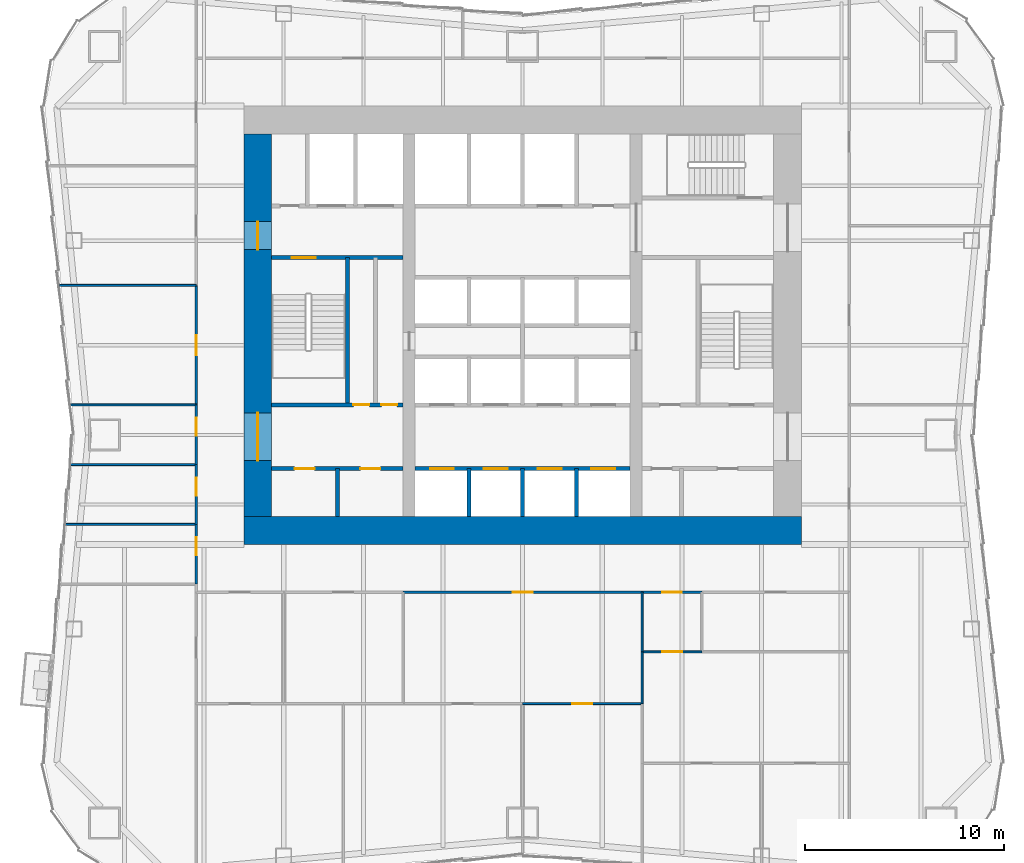
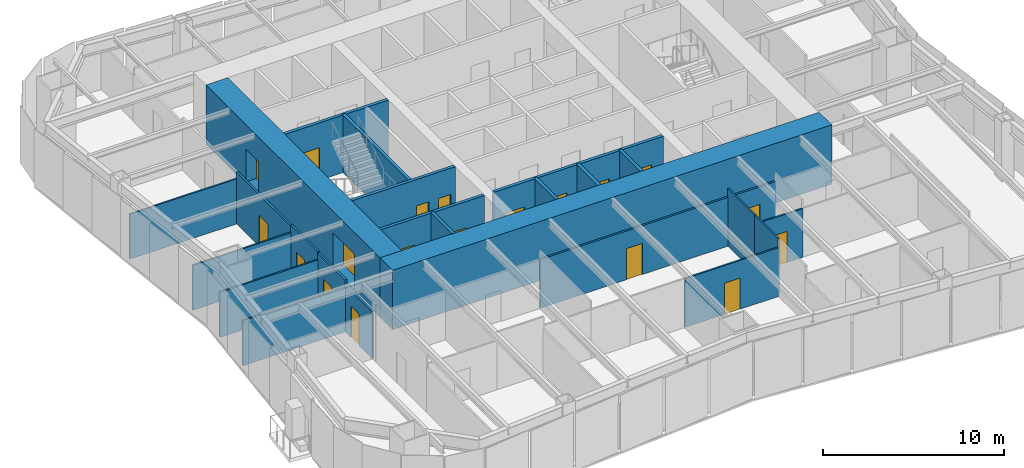
# One storey, part 4 of 8: 25 walls, 19 doors, 19 openings.
"""IFC4 building model written with IfcOpenShell, lengths in metres."""

from ifc_helpers import new_model, si_unit, direction, frame, frame_2d, origin, place, context, subcontext, project, spatial, rectangle, extrude, material, layer, layer_set, type_object, element, fill, save


model = new_model("IFC4")

# Units and contexts
model_context = context("Model", 3, precision=1e-05, world=origin(), true_north=direction((0.0, 1.0)))
body_context = subcontext(model_context, "Body", "Model", "MODEL_VIEW")
ifc_project = project(units=[si_unit("LENGTHUNIT", "METRE"), si_unit("AREAUNIT", "SQUARE_METRE"), si_unit("VOLUMEUNIT", "CUBIC_METRE"), si_unit("PLANEANGLEUNIT", "RADIAN"), si_unit("MASSUNIT", "GRAM", prefix="KILO")], contexts=[model_context])

# Site, building, storey
site_placement = place(None, origin())
site = spatial("IfcSite", under=ifc_project, at=site_placement, CompositionType="ELEMENT")
building_placement = place(site_placement, origin())
building = spatial("IfcBuilding", under=site, at=building_placement, Name="Verdant Reach Tower", CompositionType="ELEMENT")
storey_placement = place(building_placement, frame((0.0, 0.0, 22.0)))
storey = spatial("IfcBuildingStorey", under=building, at=storey_placement, Name="L04", CompositionType="ELEMENT", Elevation=22.0)

# Wall, openings, doors
ifc_material_1 = material(Name="Gypsum board on steel studs", Category="steel")
ifc_layer_1 = layer(ifc_material_1, 0.199951171875)
ifc_layer_set_1 = layer_set([ifc_layer_1], Name="CO-WALL-ROOM")
wall_type_1 = type_object("IfcWallType", Name="CO-WALL-ROOM", PredefinedType="PARTITIONING", material=ifc_layer_set_1)
wall_1_placement = place(storey_placement, frame((-12.60009765625, 20.800048828125, 0.0), z_axis=(0.0, 0.0, 1.0), x_axis=(1.0, 0.0, 0.0)))
wall_1 = element("IfcWall", 1, at=wall_1_placement, inside=storey, type_object=wall_type_1, Name="Core partition, L04", PredefinedType="PARTITIONING", context=body_context, shape_type="SweptSolid", body=[
    extrude(rectangle(XDim=6.60009765625, YDim=0.199951171875, at=frame_2d((3.300048828125, 0.0))), origin(), (0.0, 0.0, 1.0), 3.8701171875),
])
opening_1_placement = place(wall_1_placement, frame((1.14990234375, 0.0, 0.0)))
opening_1 = element("IfcOpeningElement", 2, at=opening_1_placement, cuts=wall_1, Name="Opening CD", PredefinedType="OPENING", context=body_context, shape_type="SweptSolid", body=[
    extrude(rectangle(XDim=1.0, YDim=2.10009765625, at=frame_2d((0.5, 1.050048828125))), frame((0.0, 0.10986328125, 0.0), z_axis=(0.0, -1.0, 0.0), x_axis=(1.0, 0.0, 0.0)), (0.0, 0.0, 1.0), 0.219970703125),
])
opening_2_placement = place(wall_1_placement, frame((4.449951171875, 0.0, 0.0)))
opening_2 = element("IfcOpeningElement", 3, at=opening_2_placement, cuts=wall_1, Name="Opening CD", PredefinedType="OPENING", context=body_context, shape_type="SweptSolid", body=[
    extrude(rectangle(XDim=1.0, YDim=2.10009765625, at=frame_2d((0.5, 1.050048828125))), frame((0.0, 0.10986328125, 0.0), z_axis=(0.0, -1.0, 0.0), x_axis=(1.0, 0.0, 0.0)), (0.0, 0.0, 1.0), 0.219970703125),
])
ifc_material_2 = material(Name="Timber", Category="wood")
door_type_1 = type_object("IfcDoorType", Name="CO-DOOR-ROOM", OperationType="NOTDEFINED", PredefinedType="DOOR", material=ifc_material_2)
door_1_placement = place(opening_1_placement, origin())
door_1 = element("IfcDoor", 4, at=door_1_placement, inside=storey, type_object=door_type_1, Name="Core room door, L04", OperationType="SINGLE_SWING_LEFT", OverallHeight=2.10009765625, OverallWidth=1.0, PredefinedType="DOOR", context=body_context, shape_type="SweptSolid", body=[
    extrude(rectangle(XDim=1.0, YDim=2.10009765625, at=frame_2d((0.5, 1.050048828125))), frame((0.0, 0.02490234375, 0.0), z_axis=(0.0, -1.0, 0.0), x_axis=(1.0, 0.0, 0.0)), (0.0, 0.0, 1.0), 0.050048828125),
])
fill(opening_1, door_1)
door_2_placement = place(opening_2_placement, origin())
door_2 = element("IfcDoor", 5, at=door_2_placement, inside=storey, type_object=door_type_1, Name="Core room door, L04", OperationType="SINGLE_SWING_LEFT", OverallHeight=2.10009765625, OverallWidth=1.0, PredefinedType="DOOR", context=body_context, shape_type="SweptSolid", body=[
    extrude(rectangle(XDim=1.0, YDim=2.10009765625, at=frame_2d((0.5, 1.050048828125))), frame((0.0, 0.02490234375, 0.0), z_axis=(0.0, -1.0, 0.0), x_axis=(1.0, 0.0, 0.0)), (0.0, 0.0, 1.0), 0.050048828125),
])
fill(opening_2, door_2)

# Wall
wall_2_placement = place(storey_placement, frame((-9.300048828125, 18.39990234375, 0.0), z_axis=(0.0, 0.0, 1.0), x_axis=(0.0, 1.0, 0.0)))
element("IfcWall", 6, at=wall_2_placement, inside=storey, type_object=wall_type_1, Name="Core partition, L04", PredefinedType="PARTITIONING", context=body_context, shape_type="SweptSolid", body=[
    extrude(rectangle(XDim=2.400146484375, YDim=0.199951171875, at=frame_2d((1.2001953125, 0.0))), origin(), (0.0, 0.0, 1.0), 3.8701171875),
])

# Wall, openings, doors
ifc_material_3 = material(Name="Concrete C40/50", Category="concrete")
ifc_layer_2 = layer(ifc_material_3, 0.199951171875)
ifc_layer_set_2 = layer_set([ifc_layer_2], Name="CO-WALL-SHAFT")
wall_type_2 = type_object("IfcWallType", Name="CO-WALL-SHAFT", PredefinedType="PARTITIONING", material=ifc_layer_set_2)
wall_3_placement = place(storey_placement, frame((-5.39990234375, 20.800048828125, 0.0), z_axis=(0.0, 0.0, 1.0), x_axis=(1.0, 0.0, 0.0)))
wall_3 = element("IfcWall", 7, at=wall_3_placement, inside=storey, type_object=wall_type_2, Name="Lift shaft wall, L04", PredefinedType="PARTITIONING", context=body_context, shape_type="SweptSolid", body=[
    extrude(rectangle(XDim=10.7998046875, YDim=0.199951171875, at=frame_2d((5.39990234375, 0.0))), origin(), (0.0, 0.0, 1.0), 3.8701171875),
])
opening_3_placement = place(wall_3_placement, frame((0.75, 0.0, 0.0)))
opening_3 = element("IfcOpeningElement", 8, at=opening_3_placement, cuts=wall_3, Name="Opening LD-A1", PredefinedType="OPENING", context=body_context, shape_type="SweptSolid", body=[
    extrude(rectangle(XDim=1.199951171875, YDim=2.199951171875, at=frame_2d((0.60009765625, 1.10009765625))), frame((0.0, 0.10986328125, 0.0), z_axis=(0.0, -1.0, 0.0), x_axis=(1.0, 0.0, 0.0)), (0.0, 0.0, 1.0), 0.219970703125),
])
opening_4_placement = place(wall_3_placement, frame((3.449951171875, 0.0, 0.0)))
opening_4 = element("IfcOpeningElement", 9, at=opening_4_placement, cuts=wall_3, Name="Opening LD-A2", PredefinedType="OPENING", context=body_context, shape_type="SweptSolid", body=[
    extrude(rectangle(XDim=1.199951171875, YDim=2.199951171875, at=frame_2d((0.60009765625, 1.10009765625))), frame((0.0, 0.10986328125, 0.0), z_axis=(0.0, -1.0, 0.0), x_axis=(1.0, 0.0, 0.0)), (0.0, 0.0, 1.0), 0.219970703125),
])
opening_5_placement = place(wall_3_placement, frame((6.14990234375, 0.0, 0.0)))
opening_5 = element("IfcOpeningElement", 10, at=opening_5_placement, cuts=wall_3, Name="Opening LD-A3", PredefinedType="OPENING", context=body_context, shape_type="SweptSolid", body=[
    extrude(rectangle(XDim=1.199951171875, YDim=2.199951171875, at=frame_2d((0.60009765625, 1.10009765625))), frame((0.0, 0.10986328125, 0.0), z_axis=(0.0, -1.0, 0.0), x_axis=(1.0, 0.0, 0.0)), (0.0, 0.0, 1.0), 0.219970703125),
])
opening_6_placement = place(wall_3_placement, frame((8.85009765625, 0.0, 0.0)))
opening_6 = element("IfcOpeningElement", 11, at=opening_6_placement, cuts=wall_3, Name="Opening LD-A4", PredefinedType="OPENING", context=body_context, shape_type="SweptSolid", body=[
    extrude(rectangle(XDim=1.199951171875, YDim=2.199951171875, at=frame_2d((0.60009765625, 1.10009765625))), frame((0.0, 0.10986328125, 0.0), z_axis=(0.0, -1.0, 0.0), x_axis=(1.0, 0.0, 0.0)), (0.0, 0.0, 1.0), 0.219970703125),
])
ifc_material_4 = material(Name="Stainless steel", Category="steel")
door_type_2 = type_object("IfcDoorType", Name="CO-DOOR-LANDING", OperationType="SLIDING_TO_LEFT", PredefinedType="DOOR", material=ifc_material_4)
door_3_placement = place(opening_3_placement, origin())
door_3 = element("IfcDoor", 12, at=door_3_placement, inside=storey, type_object=door_type_2, Name="Landing door A1, L04", OperationType="SLIDING_TO_LEFT", OverallHeight=2.199951171875, OverallWidth=1.199951171875, PredefinedType="DOOR", context=body_context, shape_type="SweptSolid", body=[
    extrude(rectangle(XDim=1.199951171875, YDim=2.199951171875, at=frame_2d((0.60009765625, 1.10009765625))), frame((0.0, 0.02490234375, 0.0), z_axis=(0.0, -1.0, 0.0), x_axis=(1.0, 0.0, 0.0)), (0.0, 0.0, 1.0), 0.050048828125),
])
fill(opening_3, door_3)
door_4_placement = place(opening_4_placement, origin())
door_4 = element("IfcDoor", 13, at=door_4_placement, inside=storey, type_object=door_type_2, Name="Landing door A2, L04", OperationType="SLIDING_TO_LEFT", OverallHeight=2.199951171875, OverallWidth=1.199951171875, PredefinedType="DOOR", context=body_context, shape_type="SweptSolid", body=[
    extrude(rectangle(XDim=1.199951171875, YDim=2.199951171875, at=frame_2d((0.60009765625, 1.10009765625))), frame((0.0, 0.02490234375, 0.0), z_axis=(0.0, -1.0, 0.0), x_axis=(1.0, 0.0, 0.0)), (0.0, 0.0, 1.0), 0.050048828125),
])
fill(opening_4, door_4)
door_5_placement = place(opening_5_placement, origin())
door_5 = element("IfcDoor", 14, at=door_5_placement, inside=storey, type_object=door_type_2, Name="Landing door A3, L04", OperationType="SLIDING_TO_LEFT", OverallHeight=2.199951171875, OverallWidth=1.199951171875, PredefinedType="DOOR", context=body_context, shape_type="SweptSolid", body=[
    extrude(rectangle(XDim=1.199951171875, YDim=2.199951171875, at=frame_2d((0.60009765625, 1.10009765625))), frame((0.0, 0.02490234375, 0.0), z_axis=(0.0, -1.0, 0.0), x_axis=(1.0, 0.0, 0.0)), (0.0, 0.0, 1.0), 0.050048828125),
])
fill(opening_5, door_5)
door_6_placement = place(opening_6_placement, origin())
door_6 = element("IfcDoor", 15, at=door_6_placement, inside=storey, type_object=door_type_2, Name="Landing door A4, L04", OperationType="SLIDING_TO_LEFT", OverallHeight=2.199951171875, OverallWidth=1.199951171875, PredefinedType="DOOR", context=body_context, shape_type="SweptSolid", body=[
    extrude(rectangle(XDim=1.199951171875, YDim=2.199951171875, at=frame_2d((0.60009765625, 1.10009765625))), frame((0.0, 0.02490234375, 0.0), z_axis=(0.0, -1.0, 0.0), x_axis=(1.0, 0.0, 0.0)), (0.0, 0.0, 1.0), 0.050048828125),
])
fill(opening_6, door_6)

# Walls
for number, where, z_axis, x_axis, name in (
    (16, (-2.699951171875, 18.39990234375, 0.0), (0.0, 0.0, 1.0), (0.0, 1.0, 0.0), "Lift shaft wall, L04"),
    (17, (0.0, 18.39990234375, 0.0), (0.0, 0.0, 1.0), (0.0, 1.0, 0.0), "Lift shaft wall, L04"),
    (18, (2.699951171875, 18.39990234375, 0.0), (0.0, 0.0, 1.0), (0.0, 1.0, 0.0), "Lift shaft wall, L04"),
):
    element("IfcWall", number, at=place(storey_placement, frame(where, z_axis=z_axis, x_axis=x_axis)), inside=storey, type_object=wall_type_2, Name=name, PredefinedType="PARTITIONING", context=body_context, shape_type="SweptSolid", body=[
        extrude(rectangle(XDim=2.400146484375, YDim=0.199951171875, at=frame_2d((1.2001953125, 0.0))), origin(), (0.0, 0.0, 1.0), 3.8701171875),
    ])

# Wall, openings, doors
ifc_layer_3 = layer(ifc_material_3, 0.199951171875)
ifc_layer_set_3 = layer_set([ifc_layer_3], Name="CO-WALL-STAIR")
wall_type_3 = type_object("IfcWallType", Name="CO-WALL-STAIR", PredefinedType="PARTITIONING", material=ifc_layer_set_3)
wall_4_placement = place(storey_placement, frame((-12.60009765625, 24.0, 0.0), z_axis=(0.0, 0.0, 1.0), x_axis=(1.0, 0.0, 0.0)))
wall_4 = element("IfcWall", 19, at=wall_4_placement, inside=storey, type_object=wall_type_3, Name="Stair enclosure wall, L04", PredefinedType="PARTITIONING", context=body_context, shape_type="SweptSolid", body=[
    extrude(rectangle(XDim=6.60009765625, YDim=0.199951171875, at=frame_2d((3.300048828125, 0.0))), origin(), (0.0, 0.0, 1.0), 3.8701171875),
])
opening_7_placement = place(wall_4_placement, frame((4.10009765625, 0.0, 0.0)))
opening_7 = element("IfcOpeningElement", 20, at=opening_7_placement, cuts=wall_4, Name="Opening CDN", PredefinedType="OPENING", context=body_context, shape_type="SweptSolid", body=[
    extrude(rectangle(XDim=0.800048828125, YDim=2.10009765625, at=frame_2d((0.39990234375, 1.050048828125))), frame((0.0, 0.10986328125, 0.0), z_axis=(0.0, -1.0, 0.0), x_axis=(1.0, 0.0, 0.0)), (0.0, 0.0, 1.0), 0.219970703125),
])
opening_8_placement = place(wall_4_placement, frame((5.5, 0.0, 0.0)))
opening_8 = element("IfcOpeningElement", 21, at=opening_8_placement, cuts=wall_4, Name="Opening CDN", PredefinedType="OPENING", context=body_context, shape_type="SweptSolid", body=[
    extrude(rectangle(XDim=0.800048828125, YDim=2.10009765625, at=frame_2d((0.39990234375, 1.050048828125))), frame((0.0, 0.10986328125, 0.0), z_axis=(0.0, -1.0, 0.0), x_axis=(1.0, 0.0, 0.0)), (0.0, 0.0, 1.0), 0.219970703125),
])
door_type_3 = type_object("IfcDoorType", Name="CO-DOOR-ROOM-NARROW", OperationType="NOTDEFINED", PredefinedType="DOOR", material=ifc_material_2)
door_7_placement = place(opening_7_placement, origin())
door_7 = element("IfcDoor", 22, at=door_7_placement, inside=storey, type_object=door_type_3, Name="Core room door, L04", OperationType="SINGLE_SWING_LEFT", OverallHeight=2.10009765625, OverallWidth=0.800048828125, PredefinedType="DOOR", context=body_context, shape_type="SweptSolid", body=[
    extrude(rectangle(XDim=0.800048828125, YDim=2.10009765625, at=frame_2d((0.39990234375, 1.050048828125))), frame((0.0, 0.02490234375, 0.0), z_axis=(0.0, -1.0, 0.0), x_axis=(1.0, 0.0, 0.0)), (0.0, 0.0, 1.0), 0.050048828125),
])
fill(opening_7, door_7)
door_8_placement = place(opening_8_placement, origin())
door_8 = element("IfcDoor", 23, at=door_8_placement, inside=storey, type_object=door_type_3, Name="Core room door, L04", OperationType="SINGLE_SWING_RIGHT", OverallHeight=2.10009765625, OverallWidth=0.800048828125, PredefinedType="DOOR", context=body_context, shape_type="SweptSolid", body=[
    extrude(rectangle(XDim=0.800048828125, YDim=2.10009765625, at=frame_2d((0.39990234375, 1.050048828125))), frame((0.0, 0.02490234375, 0.0), z_axis=(0.0, -1.0, 0.0), x_axis=(1.0, 0.0, 0.0)), (0.0, 0.0, 1.0), 0.050048828125),
])
fill(opening_8, door_8)

# Wall, opening, door
wall_5_placement = place(storey_placement, frame((-12.60009765625, 31.39990234375, 0.0), z_axis=(0.0, 0.0, 1.0), x_axis=(1.0, 0.0, 0.0)))
wall_5 = element("IfcWall", 24, at=wall_5_placement, inside=storey, type_object=wall_type_3, Name="Stair enclosure wall, L04", PredefinedType="PARTITIONING", context=body_context, shape_type="SweptSolid", body=[
    extrude(rectangle(XDim=6.60009765625, YDim=0.199951171875, at=frame_2d((3.300048828125, 0.0))), origin(), (0.0, 0.0, 1.0), 3.8701171875),
])
opening_9_placement = place(wall_5_placement, frame((1.0, 0.0, 0.0)))
opening_9 = element("IfcOpeningElement", 25, at=opening_9_placement, cuts=wall_5, Name="Opening SD", PredefinedType="OPENING", context=body_context, shape_type="SweptSolid", body=[
    extrude(rectangle(XDim=1.199951171875, YDim=2.199951171875, at=frame_2d((0.60009765625, 1.10009765625))), frame((0.0, 0.10986328125, 0.0), z_axis=(0.0, -1.0, 0.0), x_axis=(1.0, 0.0, 0.0)), (0.0, 0.0, 1.0), 0.219970703125),
])
ifc_material_5 = material(Name="Steel", Category="steel")
door_type_4 = type_object("IfcDoorType", Name="CO-DOOR-STAIR", OperationType="NOTDEFINED", PredefinedType="DOOR", material=ifc_material_5)
door_9_placement = place(opening_9_placement, origin())
door_9 = element("IfcDoor", 26, at=door_9_placement, inside=storey, type_object=door_type_4, Name="Stair door, L04", OperationType="SINGLE_SWING_RIGHT", OverallHeight=2.199951171875, OverallWidth=1.199951171875, PredefinedType="DOOR", context=body_context, shape_type="SweptSolid", body=[
    extrude(rectangle(XDim=1.199951171875, YDim=2.199951171875, at=frame_2d((0.60009765625, 1.10009765625))), frame((0.0, 0.02490234375, 0.0), z_axis=(0.0, -1.0, 0.0), x_axis=(1.0, 0.0, 0.0)), (0.0, 0.0, 1.0), 0.050048828125),
])
fill(opening_9, door_9)

# Wall
wall_6_placement = place(storey_placement, frame((-8.800048828125, 24.0, 0.0), z_axis=(0.0, 0.0, 1.0), x_axis=(0.0, 1.0, 0.0)))
element("IfcWall", 27, at=wall_6_placement, inside=storey, type_object=wall_type_3, Name="Stair enclosure wall, L04", PredefinedType="PARTITIONING", context=body_context, shape_type="SweptSolid", body=[
    extrude(rectangle(XDim=7.39990234375, YDim=0.199951171875, at=frame_2d((3.699951171875, 0.0))), origin(), (0.0, 0.0, 1.0), 3.8701171875),
])

# Wall, opening, door
ifc_layer_4 = layer(ifc_material_1, 0.10009765625)
ifc_layer_set_4 = layer_set([ifc_layer_4], Name="FL-W1 Partition 100")
wall_type_4 = type_object("IfcWallType", Name="FL-W1 Partition 100", PredefinedType="PARTITIONING", material=ifc_layer_set_4)
wall_7_placement = place(storey_placement, frame((6.0, 9.0, 0.0), z_axis=(0.0, 0.0, 1.0), x_axis=(-1.0, 0.0, 0.0)))
wall_7 = element("IfcWall", 28, at=wall_7_placement, inside=storey, type_object=wall_type_4, Name="Partition 04.25", PredefinedType="PARTITIONING", context=body_context, shape_type="SweptSolid", body=[
    extrude(rectangle(XDim=6.0, YDim=0.10009765625, at=frame_2d((3.0, 0.0))), origin(), (0.0, 0.0, 1.0), 3.2900390625),
])
opening_10_placement = place(wall_7_placement, frame((2.5, 0.0, 0.0)))
opening_10 = element("IfcOpeningElement", 29, at=opening_10_placement, cuts=wall_7, Name="Opening D3", PredefinedType="OPENING", context=body_context, shape_type="SweptSolid", body=[
    extrude(rectangle(XDim=1.0, YDim=2.10009765625, at=frame_2d((0.5, 1.050048828125))), frame((0.0, 0.06005859375, 0.0), z_axis=(0.0, -1.0, 0.0), x_axis=(1.0, 0.0, 0.0)), (0.0, 0.0, 1.0), 0.1201171875),
])
ifc_material_6 = material(Name="Painted timber door leaf", Category="wood")
door_type_5 = type_object("IfcDoorType", Name="FL-D3 Door 1000x2100", OperationType="NOTDEFINED", PredefinedType="DOOR", material=ifc_material_6)
door_10_placement = place(opening_10_placement, origin())
door_10 = element("IfcDoor", 30, at=door_10_placement, inside=storey, type_object=door_type_5, Name="Door 04-020", OperationType="SINGLE_SWING_RIGHT", OverallHeight=2.10009765625, OverallWidth=1.0, PredefinedType="DOOR", context=body_context, shape_type="SweptSolid", body=[
    extrude(rectangle(XDim=1.0, YDim=2.10009765625, at=frame_2d((0.5, 1.050048828125))), frame((0.0, 0.02490234375, 0.0), z_axis=(0.0, -1.0, 0.0), x_axis=(1.0, 0.0, 0.0)), (0.0, 0.0, 1.0), 0.050048828125),
])
fill(opening_10, door_10)

# Walls
wall_8_placement = place(storey_placement, frame((6.0, 11.60009765625, 0.0), z_axis=(0.0, 0.0, 1.0), x_axis=(0.0, 1.0, 0.0)))
element("IfcWall", 31, at=wall_8_placement, inside=storey, type_object=wall_type_4, Name="Partition 04.26", PredefinedType="PARTITIONING", context=body_context, shape_type="SweptSolid", body=[
    extrude(rectangle(XDim=3.0, YDim=0.10009765625, at=frame_2d((1.5, 0.0))), origin(), (0.0, 0.0, 1.0), 3.8701171875),
])
wall_9_placement = place(storey_placement, frame((6.0, 8.99609375, 0.0), z_axis=(0.0, 0.0, 1.0), x_axis=(0.0, 1.0, 0.0)))
element("IfcWall", 32, at=wall_9_placement, inside=storey, type_object=wall_type_4, Name="Partition 04.27", PredefinedType="PARTITIONING", context=body_context, shape_type="SweptSolid", body=[
    extrude(rectangle(XDim=2.60400390625, YDim=0.10009765625, at=frame_2d((1.302001953125, 0.0))), origin(), (0.0, 0.0, 1.0), 3.8701171875),
])

# Wall, opening, door
wall_10_placement = place(storey_placement, frame((9.00390625, 11.60009765625, 0.0), z_axis=(0.0, 0.0, 1.0), x_axis=(-1.0, 0.0, 0.0)))
wall_10 = element("IfcWall", 33, at=wall_10_placement, inside=storey, type_object=wall_type_4, Name="Partition 04.34", PredefinedType="PARTITIONING", context=body_context, shape_type="SweptSolid", body=[
    extrude(rectangle(XDim=3.00390625, YDim=0.10009765625, at=frame_2d((1.501953125, 0.0))), origin(), (0.0, 0.0, 1.0), 3.2900390625),
])
opening_11_placement = place(wall_10_placement, frame((1.001953125, 0.0, 0.0)))
opening_11 = element("IfcOpeningElement", 34, at=opening_11_placement, cuts=wall_10, Name="Opening D3", PredefinedType="OPENING", context=body_context, shape_type="SweptSolid", body=[
    extrude(rectangle(XDim=1.0, YDim=2.10009765625, at=frame_2d((0.5, 1.050048828125))), frame((0.0, 0.06005859375, 0.0), z_axis=(0.0, -1.0, 0.0), x_axis=(1.0, 0.0, 0.0)), (0.0, 0.0, 1.0), 0.1201171875),
])
door_11_placement = place(opening_11_placement, origin())
door_11 = element("IfcDoor", 35, at=door_11_placement, inside=storey, type_object=door_type_5, Name="Door 04-021", OperationType="SINGLE_SWING_LEFT", OverallHeight=2.10009765625, OverallWidth=1.0, PredefinedType="DOOR", context=body_context, shape_type="SweptSolid", body=[
    extrude(rectangle(XDim=1.0, YDim=2.10009765625, at=frame_2d((0.5, 1.050048828125))), frame((0.0, 0.02490234375, 0.0), z_axis=(0.0, -1.0, 0.0), x_axis=(1.0, 0.0, 0.0)), (0.0, 0.0, 1.0), 0.050048828125),
])
fill(opening_11, door_11)

# Walls
wall_11_placement = place(storey_placement, frame((-16.39990234375, 18.0, 0.0), z_axis=(0.0, 0.0, 1.0), x_axis=(-1.0, 0.0, 0.0)))
element("IfcWall", 36, at=wall_11_placement, inside=storey, type_object=wall_type_4, Name="Partition 04.46", PredefinedType="PARTITIONING", context=body_context, shape_type="SweptSolid", body=[
    extrude(rectangle(XDim=6.589111328125, YDim=0.10009765625, at=frame_2d((3.29443359375, 0.0))), origin(), (0.0, 0.0, 1.0), 3.0400390625),
])
for number, where, z_axis, x_axis, name in (
    (37, (-16.39990234375, 21.0, 0.0), (0.0, 0.0, 1.0), (-1.0, 0.0, 0.0), "Partition 04.47"),
    (38, (-16.39990234375, 24.0, 0.0), (0.0, 0.0, 1.0), (-1.0, 0.0, 0.0), "Partition 04.48"),
):
    element("IfcWall", number, at=place(storey_placement, frame(where, z_axis=z_axis, x_axis=x_axis)), inside=storey, type_object=wall_type_4, Name=name, PredefinedType="PARTITIONING", context=body_context, shape_type="SweptSolid", body=[
        extrude(rectangle(XDim=6.31640625, YDim=0.10009765625, at=frame_2d((3.158203125, 0.0))), origin(), (0.0, 0.0, 1.0), 3.0400390625),
    ])
wall_12_placement = place(storey_placement, frame((-16.39990234375, 30.0, 0.0), z_axis=(0.0, 0.0, 1.0), x_axis=(-1.0, 0.0, 0.0)))
element("IfcWall", 39, at=wall_12_placement, inside=storey, type_object=wall_type_4, Name="Partition 04.49", PredefinedType="PARTITIONING", context=body_context, shape_type="SweptSolid", body=[
    extrude(rectangle(XDim=6.86181640625, YDim=0.10009765625, at=frame_2d((3.430908203125, 0.0))), origin(), (0.0, 0.0, 1.0), 3.0400390625),
])

# Wall, opening, door
ifc_material_7 = material(Name="Gypsum board on steel studs, fire rated", Category="steel")
ifc_layer_5 = layer(ifc_material_7, 0.125)
ifc_layer_set_5 = layer_set([ifc_layer_5], Name="FL-W2 Corridor wall 125")
wall_type_5 = type_object("IfcWallType", Name="FL-W2 Corridor wall 125", PredefinedType="PARTITIONING", material=ifc_layer_set_5)
wall_13_placement = place(storey_placement, frame((-6.0, 14.60009765625, 0.0), z_axis=(0.0, 0.0, 1.0), x_axis=(1.0, 0.0, 0.0)))
wall_13 = element("IfcWall", 40, at=wall_13_placement, inside=storey, type_object=wall_type_5, Name="Partition 04.03", PredefinedType="PARTITIONING", context=body_context, shape_type="SweptSolid", body=[
    extrude(rectangle(XDim=12.0, YDim=0.125, at=frame_2d((6.0, 0.0))), origin(), (0.0, 0.0, 1.0), 3.2900390625),
])
opening_12_placement = place(wall_13_placement, frame((5.5, 0.0, 0.0)))
opening_12 = element("IfcOpeningElement", 41, at=opening_12_placement, cuts=wall_13, Name="Opening D2", PredefinedType="OPENING", context=body_context, shape_type="SweptSolid", body=[
    extrude(rectangle(XDim=1.0, YDim=2.10009765625, at=frame_2d((0.5, 1.050048828125))), frame((0.0, 0.072509765625, 0.0), z_axis=(0.0, -1.0, 0.0), x_axis=(1.0, 0.0, 0.0)), (0.0, 0.0, 1.0), 0.14501953125),
])
ifc_material_8 = material(Name="Timber door leaf, fire rated", Category="wood")
door_type_6 = type_object("IfcDoorType", Name="FL-D2 Entrance door 1000x2100 FD30", OperationType="NOTDEFINED", PredefinedType="DOOR", material=ifc_material_8)
door_12_placement = place(opening_12_placement, origin())
door_12 = element("IfcDoor", 42, at=door_12_placement, inside=storey, type_object=door_type_6, Name="Door 04-003", OperationType="SINGLE_SWING_LEFT", OverallHeight=2.10009765625, OverallWidth=1.0, PredefinedType="DOOR", context=body_context, shape_type="SweptSolid", body=[
    extrude(rectangle(XDim=1.0, YDim=2.10009765625, at=frame_2d((0.5, 1.050048828125))), frame((0.0, 0.02490234375, 0.0), z_axis=(0.0, -1.0, 0.0), x_axis=(1.0, 0.0, 0.0)), (0.0, 0.0, 1.0), 0.050048828125),
])
fill(opening_12, door_12)

wall_14_placement = place(storey_placement, frame((9.0, 14.60009765625, 0.0), z_axis=(0.0, 0.0, 1.0), x_axis=(-1.0, 0.0, 0.0)))
wall_14 = element("IfcWall", 43, at=wall_14_placement, inside=storey, type_object=wall_type_5, Name="Partition 04.04", PredefinedType="PARTITIONING", context=body_context, shape_type="SweptSolid", body=[
    extrude(rectangle(XDim=3.0, YDim=0.125, at=frame_2d((1.5, 0.0))), origin(), (0.0, 0.0, 1.0), 3.2900390625),
])
opening_13_placement = place(wall_14_placement, frame((1.0, 0.0, 0.0)))
opening_13 = element("IfcOpeningElement", 44, at=opening_13_placement, cuts=wall_14, Name="Opening D2", PredefinedType="OPENING", context=body_context, shape_type="SweptSolid", body=[
    extrude(rectangle(XDim=1.0, YDim=2.10009765625, at=frame_2d((0.5, 1.050048828125))), frame((0.0, 0.072509765625, 0.0), z_axis=(0.0, -1.0, 0.0), x_axis=(1.0, 0.0, 0.0)), (0.0, 0.0, 1.0), 0.14501953125),
])
door_13_placement = place(opening_13_placement, origin())
door_13 = element("IfcDoor", 45, at=door_13_placement, inside=storey, type_object=door_type_6, Name="Door 04-004", OperationType="SINGLE_SWING_RIGHT", OverallHeight=2.10009765625, OverallWidth=1.0, PredefinedType="DOOR", context=body_context, shape_type="SweptSolid", body=[
    extrude(rectangle(XDim=1.0, YDim=2.10009765625, at=frame_2d((0.5, 1.050048828125))), frame((0.0, 0.02490234375, 0.0), z_axis=(0.0, -1.0, 0.0), x_axis=(1.0, 0.0, 0.0)), (0.0, 0.0, 1.0), 0.050048828125),
])
fill(opening_13, door_13)

wall_15_placement = place(storey_placement, frame((-16.39990234375, 15.0, 0.0), z_axis=(0.0, 0.0, 1.0), x_axis=(0.0, 1.0, 0.0)))
wall_15 = element("IfcWall", 46, at=wall_15_placement, inside=storey, type_object=wall_type_5, Name="Partition 04.09", PredefinedType="PARTITIONING", context=body_context, shape_type="SweptSolid", body=[
    extrude(rectangle(XDim=3.0, YDim=0.125, at=frame_2d((1.5, 0.0))), origin(), (0.0, 0.0, 1.0), 3.139892578125),
])
opening_14_placement = place(wall_15_placement, frame((1.449951171875, 0.0, 0.0)))
opening_14 = element("IfcOpeningElement", 47, at=opening_14_placement, cuts=wall_15, Name="Opening D1", PredefinedType="OPENING", context=body_context, shape_type="SweptSolid", body=[
    extrude(rectangle(XDim=0.89990234375, YDim=2.10009765625, at=frame_2d((0.449951171875, 1.050048828125))), frame((0.0, 0.072509765625, 0.0), z_axis=(0.0, -1.0, 0.0), x_axis=(1.0, 0.0, 0.0)), (0.0, 0.0, 1.0), 0.14501953125),
])
door_type_7 = type_object("IfcDoorType", Name="FL-D1 Door 900x2100", OperationType="NOTDEFINED", PredefinedType="DOOR", material=ifc_material_6)
door_14_placement = place(opening_14_placement, origin())
door_14 = element("IfcDoor", 48, at=door_14_placement, inside=storey, type_object=door_type_7, Name="Door 04-008", OperationType="SINGLE_SWING_RIGHT", OverallHeight=2.10009765625, OverallWidth=0.89990234375, PredefinedType="DOOR", context=body_context, shape_type="SweptSolid", body=[
    extrude(rectangle(XDim=0.89990234375, YDim=2.10009765625, at=frame_2d((0.449951171875, 1.050048828125))), frame((0.0, 0.02490234375, 0.0), z_axis=(0.0, -1.0, 0.0), x_axis=(1.0, 0.0, 0.0)), (0.0, 0.0, 1.0), 0.050048828125),
])
fill(opening_14, door_14)

wall_16_placement = place(storey_placement, frame((-16.39990234375, 18.0, 0.0), z_axis=(0.0, 0.0, 1.0), x_axis=(0.0, 1.0, 0.0)))
wall_16 = element("IfcWall", 49, at=wall_16_placement, inside=storey, type_object=wall_type_5, Name="Partition 04.10", PredefinedType="PARTITIONING", context=body_context, shape_type="SweptSolid", body=[
    extrude(rectangle(XDim=3.0, YDim=0.125, at=frame_2d((1.5, 0.0))), origin(), (0.0, 0.0, 1.0), 3.47998046875),
])
opening_15_placement = place(wall_16_placement, frame((1.449951171875, 0.0, 0.0)))
opening_15 = element("IfcOpeningElement", 50, at=opening_15_placement, cuts=wall_16, Name="Opening D1", PredefinedType="OPENING", context=body_context, shape_type="SweptSolid", body=[
    extrude(rectangle(XDim=0.89990234375, YDim=2.10009765625, at=frame_2d((0.449951171875, 1.050048828125))), frame((0.0, 0.072509765625, 0.0), z_axis=(0.0, -1.0, 0.0), x_axis=(1.0, 0.0, 0.0)), (0.0, 0.0, 1.0), 0.14501953125),
])
door_15_placement = place(opening_15_placement, origin())
door_15 = element("IfcDoor", 51, at=door_15_placement, inside=storey, type_object=door_type_7, Name="Door 04-009", OperationType="SINGLE_SWING_RIGHT", OverallHeight=2.10009765625, OverallWidth=0.89990234375, PredefinedType="DOOR", context=body_context, shape_type="SweptSolid", body=[
    extrude(rectangle(XDim=0.89990234375, YDim=2.10009765625, at=frame_2d((0.449951171875, 1.050048828125))), frame((0.0, 0.02490234375, 0.0), z_axis=(0.0, -1.0, 0.0), x_axis=(1.0, 0.0, 0.0)), (0.0, 0.0, 1.0), 0.050048828125),
])
fill(opening_15, door_15)

wall_17_placement = place(storey_placement, frame((-16.39990234375, 21.0, 0.0), z_axis=(0.0, 0.0, 1.0), x_axis=(0.0, 1.0, 0.0)))
wall_17 = element("IfcWall", 52, at=wall_17_placement, inside=storey, type_object=wall_type_5, Name="Partition 04.11", PredefinedType="PARTITIONING", context=body_context, shape_type="SweptSolid", body=[
    extrude(rectangle(XDim=3.0, YDim=0.125, at=frame_2d((1.5, 0.0))), origin(), (0.0, 0.0, 1.0), 3.5400390625),
])
opening_16_placement = place(wall_17_placement, frame((1.449951171875, 0.0, 0.0)))
opening_16 = element("IfcOpeningElement", 53, at=opening_16_placement, cuts=wall_17, Name="Opening D1", PredefinedType="OPENING", context=body_context, shape_type="SweptSolid", body=[
    extrude(rectangle(XDim=0.89990234375, YDim=2.10009765625, at=frame_2d((0.449951171875, 1.050048828125))), frame((0.0, 0.072509765625, 0.0), z_axis=(0.0, -1.0, 0.0), x_axis=(1.0, 0.0, 0.0)), (0.0, 0.0, 1.0), 0.14501953125),
])
door_16_placement = place(opening_16_placement, origin())
door_16 = element("IfcDoor", 54, at=door_16_placement, inside=storey, type_object=door_type_7, Name="Door 04-010", OperationType="SINGLE_SWING_RIGHT", OverallHeight=2.10009765625, OverallWidth=0.89990234375, PredefinedType="DOOR", context=body_context, shape_type="SweptSolid", body=[
    extrude(rectangle(XDim=0.89990234375, YDim=2.10009765625, at=frame_2d((0.449951171875, 1.050048828125))), frame((0.0, 0.02490234375, 0.0), z_axis=(0.0, -1.0, 0.0), x_axis=(1.0, 0.0, 0.0)), (0.0, 0.0, 1.0), 0.050048828125),
])
fill(opening_16, door_16)

wall_18_placement = place(storey_placement, frame((-16.39990234375, 24.0, 0.0), z_axis=(0.0, 0.0, 1.0), x_axis=(0.0, 1.0, 0.0)))
wall_18 = element("IfcWall", 55, at=wall_18_placement, inside=storey, type_object=wall_type_5, Name="Partition 04.12", PredefinedType="PARTITIONING", context=body_context, shape_type="SweptSolid", body=[
    extrude(rectangle(XDim=6.0, YDim=0.125, at=frame_2d((3.0, 0.0))), origin(), (0.0, 0.0, 1.0), 3.47998046875),
])
opening_17_placement = place(wall_18_placement, frame((2.5, 0.0, 0.0)))
opening_17 = element("IfcOpeningElement", 56, at=opening_17_placement, cuts=wall_18, Name="Opening D2", PredefinedType="OPENING", context=body_context, shape_type="SweptSolid", body=[
    extrude(rectangle(XDim=1.0, YDim=2.10009765625, at=frame_2d((0.5, 1.050048828125))), frame((0.0, 0.072509765625, 0.0), z_axis=(0.0, -1.0, 0.0), x_axis=(1.0, 0.0, 0.0)), (0.0, 0.0, 1.0), 0.14501953125),
])
door_17_placement = place(opening_17_placement, origin())
door_17 = element("IfcDoor", 57, at=door_17_placement, inside=storey, type_object=door_type_6, Name="Door 04-011", OperationType="SINGLE_SWING_LEFT", OverallHeight=2.10009765625, OverallWidth=1.0, PredefinedType="DOOR", context=body_context, shape_type="SweptSolid", body=[
    extrude(rectangle(XDim=1.0, YDim=2.10009765625, at=frame_2d((0.5, 1.050048828125))), frame((0.0, 0.02490234375, 0.0), z_axis=(0.0, -1.0, 0.0), x_axis=(1.0, 0.0, 0.0)), (0.0, 0.0, 1.0), 0.050048828125),
])
fill(opening_17, door_17)

# Wall
ifc_material_9 = material(Name="Concrete C70/85", Category="concrete")
ifc_layer_6 = layer(ifc_material_9, 1.39990234375)
ifc_layer_set_6 = layer_set([ifc_layer_6], Name="ST-CORE-WALL-1400")
wall_type_6 = type_object("IfcWallType", Name="ST-CORE-WALL-1400", PredefinedType="SHEAR", material=ifc_layer_set_6)
wall_19_placement = place(storey_placement, frame((-14.0, 17.699951171875, -0.1298828125), z_axis=(0.0, 0.0, 1.0), x_axis=(1.0, 0.0, 0.0)))
element("IfcWall", 58, at=wall_19_placement, inside=storey, type_object=wall_type_6, Name="Core wall S, L04", PredefinedType="SHEAR", context=body_context, shape_type="SweptSolid", body=[
    extrude(rectangle(XDim=28.0, YDim=1.39990234375, at=frame_2d((14.0, 0.0))), origin(), (0.0, 0.0, 1.0), 4.0),
])

# Wall, openings, doors
wall_20_placement = place(storey_placement, frame((-13.300048828125, 18.39990234375, -0.1298828125), z_axis=(0.0, 0.0, 1.0), x_axis=(0.0, 1.0, 0.0)))
wall_20 = element("IfcWall", 59, at=wall_20_placement, inside=storey, type_object=wall_type_6, Name="Core wall W, L04", PredefinedType="SHEAR", context=body_context, shape_type="SweptSolid", body=[
    extrude(rectangle(XDim=19.2001953125, YDim=1.39990234375, at=frame_2d((9.60009765625, 0.0))), origin(), (0.0, 0.0, 1.0), 4.0),
])
opening_18_placement = place(wall_20_placement, frame((2.800048828125, 0.0, 0.1298828125)))
opening_18 = element("IfcOpeningElement", 60, at=opening_18_placement, cuts=wall_20, Name="Opening LB", PredefinedType="OPENING", context=body_context, shape_type="SweptSolid", body=[
    extrude(rectangle(XDim=2.39990234375, YDim=2.39990234375, at=frame_2d((1.199951171875, 1.199951171875))), frame((0.0, 0.7099609375, 0.0), z_axis=(0.0, -1.0, 0.0), x_axis=(1.0, 0.0, 0.0)), (0.0, 0.0, 1.0), 1.419921875),
])
opening_19_placement = place(wall_20_placement, frame((13.39990234375, 0.0, 0.1298828125)))
opening_19 = element("IfcOpeningElement", 61, at=opening_19_placement, cuts=wall_20, Name="Opening FL", PredefinedType="OPENING", context=body_context, shape_type="SweptSolid", body=[
    extrude(rectangle(XDim=1.39990234375, YDim=2.199951171875, at=frame_2d((0.699951171875, 1.10009765625))), frame((0.0, 0.7099609375, 0.0), z_axis=(0.0, -1.0, 0.0), x_axis=(1.0, 0.0, 0.0)), (0.0, 0.0, 1.0), 1.419921875),
])
door_type_8 = type_object("IfcDoorType", Name="CO-DOOR-FFL", OperationType="NOTDEFINED", PredefinedType="DOOR", material=ifc_material_5)
door_18_placement = place(opening_19_placement, origin())
door_18 = element("IfcDoor", 62, at=door_18_placement, inside=storey, type_object=door_type_8, Name="Core entrance door, L04", OperationType="SINGLE_SWING_RIGHT", OverallHeight=2.199951171875, OverallWidth=1.39990234375, PredefinedType="DOOR", context=body_context, shape_type="SweptSolid", body=[
    extrude(rectangle(XDim=1.39990234375, YDim=2.199951171875, at=frame_2d((0.699951171875, 1.10009765625))), frame((0.0, 0.02490234375, 0.0), z_axis=(0.0, -1.0, 0.0), x_axis=(1.0, 0.0, 0.0)), (0.0, 0.0, 1.0), 0.050048828125),
])
fill(opening_19, door_18)
ifc_material_10 = material(Name="Glass and steel", Category="steel")
door_type_9 = type_object("IfcDoorType", Name="CO-DOOR-LOBBY", OperationType="DOUBLE_DOOR_SINGLE_SWING", PredefinedType="DOOR", material=ifc_material_10)
door_19_placement = place(opening_18_placement, origin())
door_19 = element("IfcDoor", 63, at=door_19_placement, inside=storey, type_object=door_type_9, Name="Core entrance door, L04", OperationType="DOUBLE_DOOR_SINGLE_SWING", OverallHeight=2.39990234375, OverallWidth=2.39990234375, PredefinedType="DOOR", context=body_context, shape_type="SweptSolid", body=[
    extrude(rectangle(XDim=2.39990234375, YDim=2.39990234375, at=frame_2d((1.199951171875, 1.199951171875))), frame((0.0, 0.02490234375, 0.0), z_axis=(0.0, -1.0, 0.0), x_axis=(1.0, 0.0, 0.0)), (0.0, 0.0, 1.0), 0.050048828125),
])
fill(opening_18, door_19)

save(model, "model.ifc")
